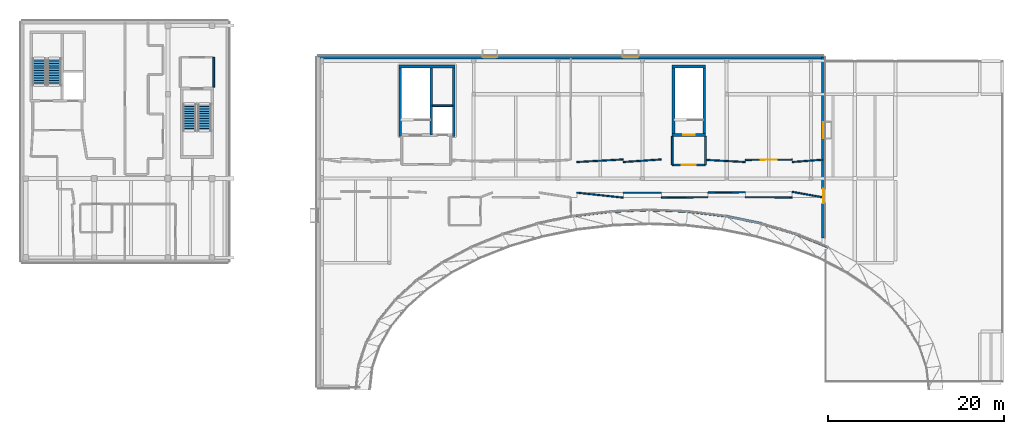
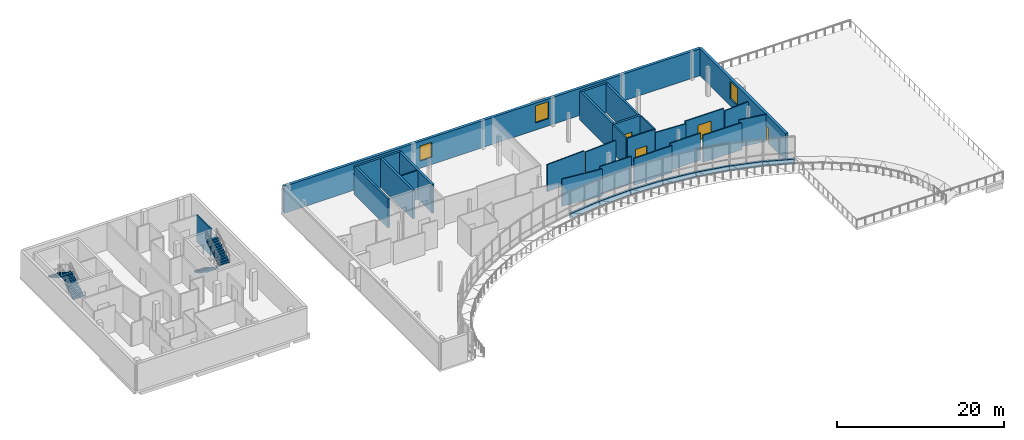
# One storey, part 13 of 18: 33 walls, 4 doors, 4 stair flights, 3 windows, 7 openings, 2 elements without a shape of their own.
"""IFC4 building model written with IfcOpenShell, lengths in metres."""

from ifc_helpers import new_model, si_unit, direction, frame, frame_2d, origin, place, context, subcontext, project, spatial, polyline, rectangle, outline, extrude, material, layer, layer_set, type_object, element, fill, aggregate, save


model = new_model("IFC4")

# Units and contexts
model_context = context("Model", 3, precision=1e-05, world=origin(), true_north=direction((0.0, 1.0)))
body_context = subcontext(model_context, "Body", "Model", "MODEL_VIEW")
ifc_project = project(units=[si_unit("LENGTHUNIT", "METRE"), si_unit("AREAUNIT", "SQUARE_METRE"), si_unit("VOLUMEUNIT", "CUBIC_METRE"), si_unit("PLANEANGLEUNIT", "RADIAN"), si_unit("MASSUNIT", "GRAM", prefix="KILO")], contexts=[model_context])

# Site, building, storey
site_placement = place(None, origin())
site = spatial("IfcSite", under=ifc_project, at=site_placement, CompositionType="ELEMENT")
building_placement = place(site_placement, origin())
building = spatial("IfcBuilding", under=site, at=building_placement, Name="Mzevani Central Library", CompositionType="ELEMENT")
storey_placement = place(building_placement, frame((0.0, 0.0, 18.300048828125)))
storey = spatial("IfcBuildingStorey", under=building, at=storey_placement, Name="L04", CompositionType="ELEMENT", Elevation=18.300048828125)

# Walls
ifc_material_1 = material(Name="Concrete C35/45", Category="concrete")
ifc_layer_1 = layer(ifc_material_1, 0.199951171875, Name="Compartment Wall 200")
ifc_layer_set_1 = layer_set([ifc_layer_1], Name="Concrete C35/45")
wall_type_1 = type_object("IfcWallType", Name="Compartment Wall 200", PredefinedType="STANDARD", material=ifc_layer_set_1)
wall_1_placement = place(storey_placement, frame((34.39990234375, 113.800048828125, 0.0), z_axis=(0.0, 0.0, 1.0), x_axis=(0.0, -1.0, 0.0)))
element("IfcWall", 1, at=wall_1_placement, inside=storey, type_object=wall_type_1, Name="L04 Stair Vestibule C2B Enclosure Wall 3", PredefinedType="STANDARD", context=body_context, shape_type="SweptSolid", body=[
    extrude(rectangle(XDim=3.400146484375, YDim=0.199951171875, at=frame_2d((1.7001953125, 0.0))), origin(), (0.0, 0.0, 1.0), 3.8798828125),
])
wall_2_placement = place(storey_placement, frame((86.60009765625, 104.800048828125, 0.0), z_axis=(0.0, 0.0, 1.0), x_axis=(0.0, -1.0, 0.0)))
element("IfcWall", 2, at=wall_2_placement, inside=storey, type_object=wall_type_1, Name="L04 Stair Vestibule C3B Enclosure Wall 1", PredefinedType="STANDARD", context=body_context, shape_type="SweptSolid", body=[
    extrude(rectangle(XDim=3.25, YDim=0.199951171875, at=frame_2d((1.625, 0.0))), origin(), (0.0, 0.0, 1.0), 4.199951171875),
])

# Wall, opening, door
wall_3_placement = place(storey_placement, frame((86.60009765625, 101.550048828125, 0.0), z_axis=(0.0, 0.0, 1.0), x_axis=(1.0, 0.0, 0.0)))
wall_3 = element("IfcWall", 3, at=wall_3_placement, inside=storey, type_object=wall_type_1, Name="L04 Stair Vestibule C3B Enclosure Wall 2", PredefinedType="STANDARD", context=body_context, shape_type="SweptSolid", body=[
    extrude(rectangle(XDim=3.7998046875, YDim=0.199951171875, at=frame_2d((1.89990234375, 0.0))), origin(), (0.0, 0.0, 1.0), 4.199951171875),
])
opening_1_placement = place(wall_3_placement, frame((1.10009765625, 0.0, 0.0)))
opening_1 = element("IfcOpeningElement", 4, at=opening_1_placement, cuts=wall_3, Name="Opening FD-02", PredefinedType="OPENING", context=body_context, shape_type="SweptSolid", body=[
    extrude(rectangle(XDim=1.60009765625, YDim=2.199951171875, at=frame_2d((0.800048828125, 1.10009765625))), frame((0.0, 0.10986328125, 0.0), z_axis=(0.0, -1.0, 0.0), x_axis=(1.0, 0.0, 0.0)), (0.0, 0.0, 1.0), 0.219970703125),
])
ifc_material_2 = material(Name="Fire-rated steel door assembly", Category="steel")
door_type_1 = type_object("IfcDoorType", Name="Fire Lobby Double Door 1600x2200", OperationType="NOTDEFINED", PredefinedType="DOOR", material=ifc_material_2)
door_1_placement = place(opening_1_placement, origin())
door_1 = element("IfcDoor", 5, at=door_1_placement, inside=storey, type_object=door_type_1, Name="L04 Stair Vestibule C3B Smoke-Control Door", OperationType="DOUBLE_DOOR_SINGLE_SWING", OverallHeight=2.199951171875, OverallWidth=1.60009765625, PredefinedType="DOOR", context=body_context, shape_type="SweptSolid", body=[
    extrude(rectangle(XDim=1.60009765625, YDim=2.199951171875, at=frame_2d((0.800048828125, 1.10009765625))), frame((0.0, 0.02490234375, 0.0), z_axis=(0.0, -1.0, 0.0), x_axis=(1.0, 0.0, 0.0)), (0.0, 0.0, 1.0), 0.050048828125),
])
fill(opening_1, door_1)

# Walls
wall_4_placement = place(storey_placement, frame((90.39990234375, 101.550048828125, 0.0), z_axis=(0.0, 0.0, 1.0), x_axis=(0.0, 1.0, 0.0)))
element("IfcWall", 6, at=wall_4_placement, inside=storey, type_object=wall_type_1, Name="L04 Stair Vestibule C3B Enclosure Wall 3", PredefinedType="STANDARD", context=body_context, shape_type="SweptSolid", body=[
    extrude(rectangle(XDim=3.25, YDim=0.199951171875, at=frame_2d((1.625, 0.0))), origin(), (0.0, 0.0, 1.0), 4.199951171875),
])
ifc_material_3 = material(Name="Concrete C40/50", Category="concrete")
ifc_layer_2 = layer(ifc_material_3, 0.300048828125, Name="Core Shear Wall 300")
ifc_layer_set_2 = layer_set([ifc_layer_2], Name="Concrete C40/50")
wall_type_2 = type_object("IfcWallType", Name="Core Shear Wall 300", PredefinedType="SHEAR", material=ifc_layer_set_2)
wall_5_placement = place(storey_placement, frame((55.64990234375, 104.800048828125, 0.0), z_axis=(0.0, 0.0, 1.0), x_axis=(0.0, 1.0, 0.0)))
element("IfcWall", 7, at=wall_5_placement, inside=storey, type_object=wall_type_2, Name="L04 Core C3A North-East Firefighting Core Shear Wall (-x)", PredefinedType="SHEAR", context=body_context, shape_type="SweptSolid", body=[
    extrude(rectangle(XDim=8.099853515625, YDim=0.300048828125, at=frame_2d((4.0498046875, 0.0))), origin(), (0.0, 0.0, 1.0), 4.199951171875),
])
wall_6_placement = place(storey_placement, frame((55.5, 112.75, 0.0), z_axis=(0.0, 0.0, 1.0), x_axis=(1.0, 0.0, 0.0)))
element("IfcWall", 8, at=wall_6_placement, inside=storey, type_object=wall_type_2, Name="L04 Core C3A North-East Firefighting Core Shear Wall (+y)", PredefinedType="SHEAR", context=body_context, shape_type="SweptSolid", body=[
    extrude(rectangle(XDim=6.39990234375, YDim=0.300048828125, at=frame_2d((3.199951171875, 0.0))), origin(), (0.0, 0.0, 1.0), 4.199951171875),
])
wall_7_placement = place(storey_placement, frame((61.75, 112.89990234375, 0.0), z_axis=(0.0, 0.0, 1.0), x_axis=(0.0, -1.0, 0.0)))
element("IfcWall", 9, at=wall_7_placement, inside=storey, type_object=wall_type_2, Name="L04 Core C3A North-East Firefighting Core Shear Wall (+x)", PredefinedType="SHEAR", context=body_context, shape_type="SweptSolid", body=[
    extrude(rectangle(XDim=8.099853515625, YDim=0.300048828125, at=frame_2d((4.0498046875, 0.0))), origin(), (0.0, 0.0, 1.0), 4.199951171875),
])
wall_8_placement = place(storey_placement, frame((59.14990234375, 104.949951171875, 0.0), z_axis=(0.0, 0.0, 1.0), x_axis=(0.0, 1.0, 0.0)))
element("IfcWall", 10, at=wall_8_placement, inside=storey, type_object=wall_type_2, Name="L04 Core C3A North-East Firefighting Core Hoistway Shear Wall", PredefinedType="SHEAR", context=body_context, shape_type="SweptSolid", body=[
    extrude(rectangle(XDim=7.800048828125, YDim=0.300048828125, at=frame_2d((3.89990234375, 0.0))), origin(), (0.0, 0.0, 1.0), 4.199951171875),
])

# Wall, opening, door
wall_9_placement = place(storey_placement, frame((90.39990234375, 104.949951171875, 0.0), z_axis=(0.0, 0.0, 1.0), x_axis=(-1.0, 0.0, 0.0)))
wall_9 = element("IfcWall", 11, at=wall_9_placement, inside=storey, type_object=wall_type_2, Name="L04 Core C3B Atrium East Escape Stair Shear Wall (-y)", PredefinedType="SHEAR", context=body_context, shape_type="SweptSolid", body=[
    extrude(rectangle(XDim=3.7998046875, YDim=0.300048828125, at=frame_2d((1.89990234375, 0.0))), origin(), (0.0, 0.0, 1.0), 4.199951171875),
])
opening_2_placement = place(wall_9_placement, frame((1.25, 0.0, 0.0)))
opening_2 = element("IfcOpeningElement", 12, at=opening_2_placement, cuts=wall_9, Name="Opening FD-01", PredefinedType="OPENING", context=body_context, shape_type="SweptSolid", body=[
    extrude(rectangle(XDim=1.300048828125, YDim=2.199951171875, at=frame_2d((0.64990234375, 1.10009765625))), frame((0.0, 0.16015625, 0.0), z_axis=(0.0, -1.0, 0.0), x_axis=(1.0, 0.0, 0.0)), (0.0, 0.0, 1.0), 0.320068359375),
])
door_type_2 = type_object("IfcDoorType", Name="Fire Stair Door 1300x2200", OperationType="NOTDEFINED", PredefinedType="DOOR", material=ifc_material_2)
door_2_placement = place(opening_2_placement, origin())
door_2 = element("IfcDoor", 13, at=door_2_placement, inside=storey, type_object=door_type_2, Name="L04 ST-06 Protected Exit Stair Door", OperationType="SINGLE_SWING_LEFT", OverallHeight=2.199951171875, OverallWidth=1.300048828125, PredefinedType="DOOR", context=body_context, shape_type="SweptSolid", body=[
    extrude(rectangle(XDim=1.300048828125, YDim=2.199951171875, at=frame_2d((0.64990234375, 1.10009765625))), frame((0.0, 0.02490234375, 0.0), z_axis=(0.0, -1.0, 0.0), x_axis=(1.0, 0.0, 0.0)), (0.0, 0.0, 1.0), 0.050048828125),
])
fill(opening_2, door_2)

# Walls
wall_10_placement = place(storey_placement, frame((86.75, 104.800048828125, 0.0), z_axis=(0.0, 0.0, 1.0), x_axis=(0.0, 1.0, 0.0)))
element("IfcWall", 14, at=wall_10_placement, inside=storey, type_object=wall_type_2, Name="L04 Core C3B Atrium East Escape Stair Shear Wall (-x)", PredefinedType="SHEAR", context=body_context, shape_type="SweptSolid", body=[
    extrude(rectangle(XDim=8.099853515625, YDim=0.300048828125, at=frame_2d((4.0498046875, 0.0))), origin(), (0.0, 0.0, 1.0), 4.199951171875),
])
wall_11_placement = place(storey_placement, frame((86.60009765625, 112.75, 0.0), z_axis=(0.0, 0.0, 1.0), x_axis=(1.0, 0.0, 0.0)))
element("IfcWall", 15, at=wall_11_placement, inside=storey, type_object=wall_type_2, Name="L04 Core C3B Atrium East Escape Stair Shear Wall (+y)", PredefinedType="SHEAR", context=body_context, shape_type="SweptSolid", body=[
    extrude(rectangle(XDim=3.7998046875, YDim=0.300048828125, at=frame_2d((1.89990234375, 0.0))), origin(), (0.0, 0.0, 1.0), 4.199951171875),
])
wall_12_placement = place(storey_placement, frame((90.25, 112.89990234375, 0.0), z_axis=(0.0, 0.0, 1.0), x_axis=(0.0, -1.0, 0.0)))
element("IfcWall", 16, at=wall_12_placement, inside=storey, type_object=wall_type_2, Name="L04 Core C3B Atrium East Escape Stair Shear Wall (+x)", PredefinedType="SHEAR", context=body_context, shape_type="SweptSolid", body=[
    extrude(rectangle(XDim=8.099853515625, YDim=0.300048828125, at=frame_2d((4.0498046875, 0.0))), origin(), (0.0, 0.0, 1.0), 4.199951171875),
])
ifc_material_4 = material(Name="Precast concrete C40/50", Category="concrete")
ifc_layer_3 = layer(ifc_material_4, 0.280029296875, Name="Court Spandrel Wall 280")
ifc_layer_set_3 = layer_set([ifc_layer_3], Name="Precast concrete C40/50")
wall_type_3 = type_object("IfcWallType", Name="Court Spandrel Wall 280", PredefinedType="STANDARD", material=ifc_layer_set_3)
wall_13_placement = place(storey_placement, frame((104.37353515625, 92.18359375, 0.0), z_axis=(0.0, 0.0, 1.0), x_axis=(-0.926279468924, 0.376837293071, 0.0)))
element("IfcWall", 17, at=wall_13_placement, inside=storey, type_object=wall_type_3, Name="L04 Elliptical Court Spandrel 8", PredefinedType="STANDARD", context=body_context, shape_type="SweptSolid", body=[
    extrude(rectangle(XDim=3.898193359375, YDim=0.280029296875, at=frame_2d((1.94921875, 0.0))), origin(), (0.0, 0.0, 1.0), 0.719970703125),
])
wall_14_placement = place(storey_placement, frame((100.738525390625, 93.67529296875, 0.0), z_axis=(0.0, 0.0, 1.0), x_axis=(-0.957763475746, 0.287557167408, 0.0)))
element("IfcWall", 18, at=wall_14_placement, inside=storey, type_object=wall_type_3, Name="L04 Elliptical Court Spandrel 9", PredefinedType="STANDARD", context=body_context, shape_type="SweptSolid", body=[
    extrude(rectangle(XDim=4.06689453125, YDim=0.280029296875, at=frame_2d((2.033447265625, 0.0))), origin(), (0.0, 0.0, 1.0), 0.719970703125),
])
wall_15_placement = place(storey_placement, frame((96.812255859375, 94.865966796875, 0.0), z_axis=(0.0, 0.0, 1.0), x_axis=(-0.979306137349, 0.202384508674, 0.0)))
element("IfcWall", 19, at=wall_15_placement, inside=storey, type_object=wall_type_3, Name="L04 Elliptical Court Spandrel 10", PredefinedType="STANDARD", context=body_context, shape_type="SweptSolid", body=[
    extrude(rectangle(XDim=4.19921875, YDim=0.280029296875, at=frame_2d((2.099609375, 0.0))), origin(), (0.0, 0.0, 1.0), 0.719970703125),
])
wall_16_placement = place(storey_placement, frame((92.6611328125, 95.732666015625, 0.0), z_axis=(0.0, 0.0, 1.0), x_axis=(-0.992745106913, 0.12023790043, 0.0)))
element("IfcWall", 20, at=wall_16_placement, inside=storey, type_object=wall_type_3, Name="L04 Elliptical Court Spandrel 11", PredefinedType="STANDARD", context=body_context, shape_type="SweptSolid", body=[
    extrude(rectangle(XDim=4.290283203125, YDim=0.280029296875, at=frame_2d((2.14501953125, 0.0))), origin(), (0.0, 0.0, 1.0), 0.719970703125),
])
for number, where, z_axis, x_axis, name in (
    (21, (88.35693359375, 96.258056640625, 0.0), (0.0, 0.0, 1.0), (-0.999205448666, 0.039855631417, 0.0), "L04 Elliptical Court Spandrel 12"),
    (22, (83.9765625, 96.430908203125, 0.0), (0.0, 0.0, 1.0), (-0.999205448666, -0.039855631417, 0.0), "L04 Elliptical Court Spandrel 13"),
):
    element("IfcWall", number, at=place(storey_placement, frame(where, z_axis=z_axis, x_axis=x_axis)), inside=storey, type_object=wall_type_3, Name=name, PredefinedType="STANDARD", context=body_context, shape_type="SweptSolid", body=[
        extrude(rectangle(XDim=4.3369140625, YDim=0.280029296875, at=frame_2d((2.16845703125, 0.0))), origin(), (0.0, 0.0, 1.0), 0.719970703125),
    ])
wall_17_placement = place(storey_placement, frame((79.59814453125, 96.24853515625, 0.0), z_axis=(0.0, 0.0, 1.0), x_axis=(-0.992745106913, -0.12023790043, 0.0)))
element("IfcWall", 23, at=wall_17_placement, inside=storey, type_object=wall_type_3, Name="L04 Elliptical Court Spandrel 14", PredefinedType="STANDARD", context=body_context, shape_type="SweptSolid", body=[
    extrude(rectangle(XDim=4.290283203125, YDim=0.280029296875, at=frame_2d((2.14501953125, 0.0))), origin(), (0.0, 0.0, 1.0), 0.719970703125),
])

# Wall, openings, windows
ifc_layer_4 = layer(ifc_material_4, 0.3798828125, Name="Exterior Thermal Concrete Wall 380")
ifc_layer_set_4 = layer_set([ifc_layer_4], Name="Precast concrete C40/50")
wall_type_4 = type_object("IfcWallType", Name="Exterior Thermal Concrete Wall 380", PredefinedType="STANDARD", material=ifc_layer_set_4)
wall_18_placement = place(storey_placement, frame((46.2900390625, 113.81005859375, 0.0), z_axis=(0.0, 0.0, 1.0), x_axis=(1.0, 0.0, 0.0)))
wall_18 = element("IfcWall", 24, at=wall_18_placement, inside=storey, type_object=wall_type_4, Name="L04 V3 Exterior Thermal Wall (69)", PredefinedType="STANDARD", context=body_context, shape_type="SweptSolid", body=[
    extrude(rectangle(XDim=57.52001953125, YDim=0.3798828125, at=frame_2d((28.760009765625, 0.0))), origin(), (0.0, 0.0, 1.0), 3.93994140625),
])
opening_3_placement = place(wall_18_placement, frame((18.731689453125, 0.0, 1.050048828125)))
opening_3 = element("IfcOpeningElement", 25, at=opening_3_placement, cuts=wall_18, Name="Opening W-13", PredefinedType="OPENING", context=body_context, shape_type="SweptSolid", body=[
    extrude(rectangle(XDim=1.64990234375, YDim=2.199951171875, at=frame_2d((0.824951171875, 1.10009765625))), frame((0.0, 0.199951171875, 0.0), z_axis=(0.0, -1.0, 0.0), x_axis=(1.0, 0.0, 0.0)), (0.0, 0.0, 1.0), 0.39990234375),
])
opening_4_placement = place(wall_18_placement, frame((34.6630859375, 0.0, 1.050048828125)))
opening_4 = element("IfcOpeningElement", 26, at=opening_4_placement, cuts=wall_18, Name="Opening W-15", PredefinedType="OPENING", context=body_context, shape_type="SweptSolid", body=[
    extrude(rectangle(XDim=1.800048828125, YDim=2.5, at=frame_2d((0.89990234375, 1.25))), frame((0.0, 0.199951171875, 0.0), z_axis=(0.0, -1.0, 0.0), x_axis=(1.0, 0.0, 0.0)), (0.0, 0.0, 1.0), 0.39990234375),
])
ifc_material_5 = material(Name="Low-E triple glazing glass", Category="glass")
window_type_1 = type_object("IfcWindowType", Name="Deep Reveal Window 1650x2200", PartitioningType="SINGLE_PANEL", PredefinedType="WINDOW", material=ifc_material_5)
window_1_placement = place(opening_3_placement, origin())
window_1 = element("IfcWindow", 27, at=window_1_placement, inside=storey, type_object=window_type_1, Name="L04 V3 Deep-Reveal Window W-13 (132)", OverallHeight=2.199951171875, OverallWidth=1.64990234375, PartitioningType="SINGLE_PANEL", PredefinedType="WINDOW", context=body_context, shape_type="SweptSolid", body=[
    extrude(rectangle(XDim=1.64990234375, YDim=2.199951171875, at=frame_2d((0.824951171875, 1.10009765625))), frame((0.0, 0.030029296875, 0.0), z_axis=(0.0, -1.0, 0.0), x_axis=(1.0, 0.0, 0.0)), (0.0, 0.0, 1.0), 0.06005859375),
])
fill(opening_3, window_1)
window_type_2 = type_object("IfcWindowType", Name="Deep Reveal Window 1800x2500", PartitioningType="SINGLE_PANEL", PredefinedType="WINDOW", material=ifc_material_5)
window_2_placement = place(opening_4_placement, origin())
window_2 = element("IfcWindow", 28, at=window_2_placement, inside=storey, type_object=window_type_2, Name="L04 V3 Deep-Reveal Window W-15 (133)", OverallHeight=2.5, OverallWidth=1.800048828125, PartitioningType="SINGLE_PANEL", PredefinedType="WINDOW", context=body_context, shape_type="SweptSolid", body=[
    extrude(rectangle(XDim=1.800048828125, YDim=2.5, at=frame_2d((0.89990234375, 1.25))), frame((0.0, 0.030029296875, 0.0), z_axis=(0.0, -1.0, 0.0), x_axis=(1.0, 0.0, 0.0)), (0.0, 0.0, 1.0), 0.06005859375),
])
fill(opening_4, window_2)

# Wall, openings, window, door
wall_19_placement = place(storey_placement, frame((103.81005859375, 113.81005859375, 0.0), z_axis=(0.0, 0.0, 1.0), x_axis=(0.0, -1.0, 0.0)))
wall_19 = element("IfcWall", 29, at=wall_19_placement, inside=storey, type_object=wall_type_4, Name="L04 V3 Exterior Thermal Wall (70)", PredefinedType="STANDARD", context=body_context, shape_type="SweptSolid", body=[
    extrude(rectangle(XDim=20.5859375, YDim=0.3798828125, at=frame_2d((10.29296875, 0.0))), origin(), (0.0, 0.0, 1.0), 3.93994140625),
])
opening_5_placement = place(wall_19_placement, frame((14.985107421875, 0.0, 0.0)))
opening_5 = element("IfcOpeningElement", 30, at=opening_5_placement, cuts=wall_19, Name="Opening ED-02", PredefinedType="OPENING", context=body_context, shape_type="SweptSolid", body=[
    extrude(rectangle(XDim=1.64990234375, YDim=2.300048828125, at=frame_2d((0.824951171875, 1.14990234375))), frame((0.0, 0.199951171875, 0.0), z_axis=(0.0, -1.0, 0.0), x_axis=(1.0, 0.0, 0.0)), (0.0, 0.0, 1.0), 0.39990234375),
])
opening_6_placement = place(wall_19_placement, frame((7.404541015625, 0.0, 1.050048828125)))
opening_6 = element("IfcOpeningElement", 31, at=opening_6_placement, cuts=wall_19, Name="Opening W-15", PredefinedType="OPENING", context=body_context, shape_type="SweptSolid", body=[
    extrude(rectangle(XDim=1.800048828125, YDim=2.5, at=frame_2d((0.89990234375, 1.25))), frame((0.0, 0.199951171875, 0.0), z_axis=(0.0, -1.0, 0.0), x_axis=(1.0, 0.0, 0.0)), (0.0, 0.0, 1.0), 0.39990234375),
])
window_3_placement = place(opening_6_placement, origin())
window_3 = element("IfcWindow", 32, at=window_3_placement, inside=storey, type_object=window_type_2, Name="L04 V3 Deep-Reveal Window W-15 (134)", OverallHeight=2.5, OverallWidth=1.800048828125, PartitioningType="SINGLE_PANEL", PredefinedType="WINDOW", context=body_context, shape_type="SweptSolid", body=[
    extrude(rectangle(XDim=1.800048828125, YDim=2.5, at=frame_2d((0.89990234375, 1.25))), frame((0.0, 0.030029296875, 0.0), z_axis=(0.0, -1.0, 0.0), x_axis=(1.0, 0.0, 0.0)), (0.0, 0.0, 1.0), 0.06005859375),
])
fill(opening_6, window_3)
ifc_material_6 = material(Name="Anodized architectural bronze")
door_type_3 = type_object("IfcDoorType", Name="Roof Garden Terrace Door 1650x2300", OperationType="NOTDEFINED", PredefinedType="DOOR", material=ifc_material_6)
door_3_placement = place(opening_5_placement, origin())
door_3 = element("IfcDoor", 33, at=door_3_placement, inside=storey, type_object=door_type_3, Name="L04 Atrium Terrace Planted Roof Garden Terrace Access Door", OperationType="SINGLE_SWING_LEFT", OverallHeight=2.300048828125, OverallWidth=1.64990234375, PredefinedType="DOOR", context=body_context, shape_type="SweptSolid", body=[
    extrude(rectangle(XDim=1.64990234375, YDim=2.300048828125, at=frame_2d((0.824951171875, 1.14990234375))), frame((0.0, 0.02490234375, 0.0), z_axis=(0.0, -1.0, 0.0), x_axis=(1.0, 0.0, 0.0)), (0.0, 0.0, 1.0), 0.050048828125),
])
fill(opening_5, door_3)

# Wall, opening, door
ifc_material_7 = material(Name="Fire-rated gypsum board", Category="gypsum")
ifc_layer_5 = layer(ifc_material_7, 0.14990234375, Name="Partition Study 150")
ifc_layer_set_5 = layer_set([ifc_layer_5], Name="Fire-rated gypsum board")
wall_type_5 = type_object("IfcWallType", Name="Partition Study 150", PredefinedType="PARTITIONING", material=ifc_layer_set_5)
wall_20_placement = place(storey_placement, frame((100.25, 102.14990234375, 0.0), z_axis=(0.0, 0.0, 1.0), x_axis=(-0.999989065169, -0.004676488224, 0.0)))
wall_20 = element("IfcWall", 34, at=wall_20_placement, inside=storey, type_object=wall_type_5, Name="L04 V3 Partition IW-03 (593)", PredefinedType="PARTITIONING", context=body_context, shape_type="SweptSolid", body=[
    extrude(rectangle(XDim=5.324951171875, YDim=0.14990234375, at=frame_2d((2.66259765625, 0.0))), origin(), (0.0, 0.0, 1.0), 3.419921875),
])
opening_7_placement = place(wall_20_placement, frame((1.762451171875, 0.0, 0.0)))
opening_7 = element("IfcOpeningElement", 35, at=opening_7_placement, cuts=wall_20, Name="Opening FD-06", PredefinedType="OPENING", context=body_context, shape_type="SweptSolid", body=[
    extrude(rectangle(XDim=1.800048828125, YDim=2.199951171875, at=frame_2d((0.89990234375, 1.10009765625))), frame((0.0, 0.0849609375, 0.0), z_axis=(0.0, -1.0, 0.0), x_axis=(1.0, 0.0, 0.0)), (0.0, 0.0, 1.0), 0.169921875),
])
door_type_4 = type_object("IfcDoorType", Name="Fire Corridor Double Door 1800x2200", OperationType="NOTDEFINED", PredefinedType="DOOR", material=ifc_material_2)
door_4_placement = place(opening_7_placement, origin())
door_4 = element("IfcDoor", 36, at=door_4_placement, inside=storey, type_object=door_type_4, Name="L04 Caucasus Special Collections Gallery Door", OperationType="DOUBLE_DOOR_SINGLE_SWING", OverallHeight=2.199951171875, OverallWidth=1.800048828125, PredefinedType="DOOR", context=body_context, shape_type="SweptSolid", body=[
    extrude(rectangle(XDim=1.800048828125, YDim=2.199951171875, at=frame_2d((0.89990234375, 1.10009765625))), frame((0.0, 0.02490234375, 0.0), z_axis=(0.0, -1.0, 0.0), x_axis=(1.0, 0.0, 0.0)), (0.0, 0.0, 1.0), 0.050048828125),
])
fill(opening_7, door_4)

# Walls
wall_21_placement = place(storey_placement, frame((94.925048828125, 101.8798828125, 0.0), z_axis=(0.0, 0.0, 1.0), x_axis=(-0.998535524491, 0.054099966072, 0.0)))
element("IfcWall", 37, at=wall_21_placement, inside=storey, type_object=wall_type_5, Name="L04 V3 Partition IW-03 (594)", PredefinedType="PARTITIONING", context=body_context, shape_type="SweptSolid", body=[
    extrude(rectangle(XDim=4.431640625, YDim=0.14990234375, at=frame_2d((2.2158203125, 0.0))), origin(), (0.0, 0.0, 1.0), 3.219970703125),
])
wall_22_placement = place(storey_placement, frame((85.375, 102.175048828125, 0.0), z_axis=(0.0, 0.0, 1.0), x_axis=(-0.997705921708, -0.067697073709, 0.0)))
element("IfcWall", 38, at=wall_22_placement, inside=storey, type_object=wall_type_5, Name="L04 V3 Partition IW-03 (595)", PredefinedType="PARTITIONING", context=body_context, shape_type="SweptSolid", body=[
    extrude(rectangle(XDim=4.360107421875, YDim=0.14990234375, at=frame_2d((2.18017578125, 0.0))), origin(), (0.0, 0.0, 1.0), 3.93994140625),
])
wall_23_placement = place(storey_placement, frame((81.02490234375, 102.175048828125, 0.0), z_axis=(0.0, 0.0, 1.0), x_axis=(-0.998438092025, -0.055869279518, 0.0)))
element("IfcWall", 39, at=wall_23_placement, inside=storey, type_object=wall_type_5, Name="L04 V3 Partition IW-03 (596)", PredefinedType="PARTITIONING", context=body_context, shape_type="SweptSolid", body=[
    extrude(rectangle(XDim=5.283203125, YDim=0.14990234375, at=frame_2d((2.6416015625, 0.0))), origin(), (0.0, 0.0, 1.0), 3.93994140625),
])
wall_24_placement = place(storey_placement, frame((103.710205078125, 102.142333984375, 0.0), z_axis=(0.0, 0.0, 1.0), x_axis=(-0.997135858871, -0.075631203576, 0.0)))
element("IfcWall", 40, at=wall_24_placement, inside=storey, type_object=wall_type_5, Name="L04 V3 Partition IW-03 (597)", PredefinedType="PARTITIONING", context=body_context, shape_type="SweptSolid", body=[
    extrude(rectangle(XDim=3.47021484375, YDim=0.14990234375, at=frame_2d((1.735107421875, 0.0))), origin(), (0.0, 0.0, 1.0), 3.219970703125),
])
wall_25_placement = place(storey_placement, frame((75.75, 98.391357421875, 0.0), z_axis=(0.0, 0.0, 1.0), x_axis=(0.994284405771, -0.106763853623, 0.0)))
element("IfcWall", 41, at=wall_25_placement, inside=storey, type_object=wall_type_5, Name="L04 V3 Partition IW-03 (606)", PredefinedType="PARTITIONING", context=body_context, shape_type="SweptSolid", body=[
    extrude(rectangle(XDim=5.30517578125, YDim=0.14990234375, at=frame_2d((2.652587890625, 0.0))), origin(), (0.0, 0.0, 1.0), 3.93994140625),
])
wall_26_placement = place(storey_placement, frame((81.02490234375, 98.382568359375, 0.0), z_axis=(0.0, 0.0, 1.0), x_axis=(0.999998582596, -0.001683688263, 0.0)))
element("IfcWall", 42, at=wall_26_placement, inside=storey, type_object=wall_type_5, Name="L04 V3 Partition IW-03 (607)", PredefinedType="PARTITIONING", context=body_context, shape_type="SweptSolid", body=[
    extrude(rectangle(XDim=4.35009765625, YDim=0.14990234375, at=frame_2d((2.175048828125, 0.0))), origin(), (0.0, 0.0, 1.0), 3.93994140625),
])
wall_27_placement = place(storey_placement, frame((85.375, 97.824951171875, 0.0), z_axis=(0.0, 0.0, 1.0), x_axis=(0.999955417025, 0.009442667119, 0.0)))
element("IfcWall", 43, at=wall_27_placement, inside=storey, type_object=wall_type_5, Name="L04 V3 Partition IW-03 (608)", PredefinedType="PARTITIONING", context=body_context, shape_type="SweptSolid", body=[
    extrude(rectangle(XDim=5.30029296875, YDim=0.14990234375, at=frame_2d((2.650146484375, 0.0))), origin(), (0.0, 0.0, 1.0), 3.93994140625),
])
wall_28_placement = place(storey_placement, frame((90.67333984375, 98.39208984375, 0.0), z_axis=(0.0, 0.0, 1.0), x_axis=(0.99994718045, 0.010277952644, 0.0)))
element("IfcWall", 44, at=wall_28_placement, inside=storey, type_object=wall_type_5, Name="L04 V3 Partition IW-03 (609)", PredefinedType="PARTITIONING", context=body_context, shape_type="SweptSolid", body=[
    extrude(rectangle(XDim=4.251953125, YDim=0.14990234375, at=frame_2d((2.1259765625, 0.0))), origin(), (0.0, 0.0, 1.0), 3.93994140625),
])
wall_29_placement = place(storey_placement, frame((94.925048828125, 97.875, 0.0), z_axis=(0.0, 0.0, 1.0), x_axis=(0.999989065169, -0.004676488224, 0.0)))
element("IfcWall", 45, at=wall_29_placement, inside=storey, type_object=wall_type_5, Name="L04 V3 Partition IW-03 (610)", PredefinedType="PARTITIONING", context=body_context, shape_type="SweptSolid", body=[
    extrude(rectangle(XDim=5.324951171875, YDim=0.14990234375, at=frame_2d((2.66259765625, 0.0))), origin(), (0.0, 0.0, 1.0), 3.93994140625),
])
wall_30_placement = place(storey_placement, frame((100.243408203125, 98.490478515625, 0.0), z_axis=(0.0, 0.0, 1.0), x_axis=(0.9842566848, -0.176744953043, 0.0)))
element("IfcWall", 46, at=wall_30_placement, inside=storey, type_object=wall_type_5, Name="L04 V3 Partition IW-03 (611)", PredefinedType="PARTITIONING", context=body_context, shape_type="SweptSolid", body=[
    extrude(rectangle(XDim=3.523681640625, YDim=0.14990234375, at=frame_2d((1.76171875, 0.0))), origin(), (0.0, 0.0, 1.0), 3.93994140625),
])
ifc_material_8 = material(Name="Concrete blockwork masonry", Category="masonry")
ifc_layer_6 = layer(ifc_material_8, 0.179931640625, Name="Shaft Enclosure Wall 180")
ifc_layer_set_6 = layer_set([ifc_layer_6], Name="Concrete blockwork masonry")
wall_type_6 = type_object("IfcWallType", Name="Shaft Enclosure Wall 180", PredefinedType="PARTITIONING", material=ifc_layer_set_6)
wall_31_placement = place(storey_placement, frame((59.300048828125, 108.2900390625, 0.0), z_axis=(0.0, 0.0, 1.0), x_axis=(1.0, 0.0, 0.0)))
element("IfcWall", 47, at=wall_31_placement, inside=storey, type_object=wall_type_6, Name="L04 Lift LF-FF2 Hoistway Enclosure Wall", PredefinedType="PARTITIONING", context=body_context, shape_type="SweptSolid", body=[
    extrude(rectangle(XDim=2.300048828125, YDim=0.179931640625, at=frame_2d((1.14990234375, 0.0))), origin(), (0.0, 0.0, 1.0), 4.199951171875),
])

# Stair, stair flights
stair_type = type_object("IfcStairType", Name="Dogleg Exit Stair 175x280", PredefinedType="HALF_TURN_STAIR", material=ifc_material_1)
stair_1_placement = place(storey_placement, origin())
stair_1 = element("IfcStair", 48, at=stair_1_placement, inside=storey, type_object=stair_type, Name="L04 Core C2A North-West Firefighting Core Exit Stair ST-02", PredefinedType="HALF_TURN_STAIR")
stair_flight_type = type_object("IfcStairFlightType", Name="Reinforced Concrete Stair Flight 175x280", PredefinedType="STRAIGHT", material=ifc_material_1)
stair_flight_1_placement = place(storey_placement, frame((16.25, 110.60009765625, 0.0), z_axis=(0.0, 0.0, 1.0), x_axis=(0.0, 1.0, 0.0)))
stair_flight_1 = element("IfcStairFlight", 49, at=stair_flight_1_placement, type_object=stair_flight_type, Name="ST-03 flight 1", NumberOfRisers=12, NumberOfTreads=11, PredefinedType="STRAIGHT", RiserHeight=0.175, TreadLength=0.28, context=body_context, shape_type="SweptSolid", body=[
    extrude(outline(polyline([(0.0, 0.0), (0.0, 0.175048828125), (0.280029296875, 0.175048828125), (0.280029296875, 0.35009765625), (0.56005859375, 0.35009765625), (0.56005859375, 0.52490234375), (0.840087890625, 0.52490234375), (0.840087890625, 0.699951171875), (1.1201171875, 0.699951171875), (1.1201171875, 0.875), (1.39990234375, 0.875), (1.39990234375, 1.050048828125), (1.679931640625, 1.050048828125), (1.679931640625, 1.22509765625), (1.9599609375, 1.22509765625), (1.9599609375, 1.39990234375), (2.239990234375, 1.39990234375), (2.239990234375, 1.574951171875), (2.52001953125, 1.574951171875), (2.52001953125, 1.75), (2.800048828125, 1.75), (2.800048828125, 1.925048828125), (3.080078125, 1.925048828125), (3.080078125, 2.10009765625), (3.080078125, 1.736328125), (0.3017578125, 0.0), (0.0, 0.0)])), frame((0.0, 0.75, 0.0), z_axis=(0.0, -1.0, 0.0), x_axis=(1.0, 0.0, 0.0)), (0.0, 0.0, 1.0), 1.5),
])
stair_flight_2_placement = place(storey_placement, frame((14.550048828125, 113.679931640625, 2.099853515625), z_axis=(0.0, 0.0, 1.0), x_axis=(0.0, -1.0, 0.0)))
stair_flight_2 = element("IfcStairFlight", 50, at=stair_flight_2_placement, type_object=stair_flight_type, Name="ST-03 flight 2", NumberOfRisers=12, NumberOfTreads=11, PredefinedType="STRAIGHT", RiserHeight=0.175, TreadLength=0.28, context=body_context, shape_type="SweptSolid", body=[
    extrude(outline(polyline([(0.0, 0.0), (0.0, 0.175048828125), (0.280029296875, 0.175048828125), (0.280029296875, 0.35009765625), (0.56005859375, 0.35009765625), (0.56005859375, 0.52490234375), (0.840087890625, 0.52490234375), (0.840087890625, 0.699951171875), (1.1201171875, 0.699951171875), (1.1201171875, 0.875), (1.39990234375, 0.875), (1.39990234375, 1.050048828125), (1.679931640625, 1.050048828125), (1.679931640625, 1.22509765625), (1.9599609375, 1.22509765625), (1.9599609375, 1.39990234375), (2.239990234375, 1.39990234375), (2.239990234375, 1.574951171875), (2.52001953125, 1.574951171875), (2.52001953125, 1.75), (2.800048828125, 1.75), (2.800048828125, 1.925048828125), (3.080078125, 1.925048828125), (3.080078125, 2.10009765625), (3.080078125, 1.736328125), (0.3017578125, 0.0), (0.0, 0.0)])), frame((0.0, 0.75, 0.0), z_axis=(0.0, -1.0, 0.0), x_axis=(1.0, 0.0, 0.0)), (0.0, 0.0, 1.0), 1.5),
])
aggregate(stair_1, [stair_flight_1, stair_flight_2])

stair_2_placement = place(storey_placement, origin())
stair_2 = element("IfcStair", 51, at=stair_2_placement, inside=storey, type_object=stair_type, Name="L04 Core C2B Stacks East Escape Stair Exit Stair ST-02", PredefinedType="HALF_TURN_STAIR")
stair_flight_3_placement = place(storey_placement, frame((31.64990234375, 108.5, 0.0), z_axis=(0.0, 0.0, 1.0), x_axis=(0.0, -1.0, 0.0)))
stair_flight_3 = element("IfcStairFlight", 52, at=stair_flight_3_placement, type_object=stair_flight_type, Name="ST-04 flight 1", NumberOfRisers=12, NumberOfTreads=11, PredefinedType="STRAIGHT", RiserHeight=0.175, TreadLength=0.28, context=body_context, shape_type="SweptSolid", body=[
    extrude(outline(polyline([(0.0, 0.0), (0.0, 0.175048828125), (0.280029296875, 0.175048828125), (0.280029296875, 0.35009765625), (0.56005859375, 0.35009765625), (0.56005859375, 0.52490234375), (0.840087890625, 0.52490234375), (0.840087890625, 0.699951171875), (1.1201171875, 0.699951171875), (1.1201171875, 0.875), (1.39990234375, 0.875), (1.39990234375, 1.050048828125), (1.679931640625, 1.050048828125), (1.679931640625, 1.22509765625), (1.9599609375, 1.22509765625), (1.9599609375, 1.39990234375), (2.239990234375, 1.39990234375), (2.239990234375, 1.574951171875), (2.52001953125, 1.574951171875), (2.52001953125, 1.75), (2.800048828125, 1.75), (2.800048828125, 1.925048828125), (3.080078125, 1.925048828125), (3.080078125, 2.10009765625), (3.080078125, 1.736328125), (0.3017578125, 0.0), (0.0, 0.0)])), frame((0.0, 0.75, 0.0), z_axis=(0.0, -1.0, 0.0), x_axis=(1.0, 0.0, 0.0)), (0.0, 0.0, 1.0), 1.5),
])
stair_flight_4_placement = place(storey_placement, frame((33.35009765625, 105.419921875, 2.099853515625), z_axis=(0.0, 0.0, 1.0), x_axis=(0.0, 1.0, 0.0)))
stair_flight_4 = element("IfcStairFlight", 53, at=stair_flight_4_placement, type_object=stair_flight_type, Name="ST-04 flight 2", NumberOfRisers=12, NumberOfTreads=11, PredefinedType="STRAIGHT", RiserHeight=0.175, TreadLength=0.28, context=body_context, shape_type="SweptSolid", body=[
    extrude(outline(polyline([(0.0, 0.0), (0.0, 0.175048828125), (0.280029296875, 0.175048828125), (0.280029296875, 0.35009765625), (0.56005859375, 0.35009765625), (0.56005859375, 0.52490234375), (0.840087890625, 0.52490234375), (0.840087890625, 0.699951171875), (1.1201171875, 0.699951171875), (1.1201171875, 0.875), (1.39990234375, 0.875), (1.39990234375, 1.050048828125), (1.679931640625, 1.050048828125), (1.679931640625, 1.22509765625), (1.9599609375, 1.22509765625), (1.9599609375, 1.39990234375), (2.239990234375, 1.39990234375), (2.239990234375, 1.574951171875), (2.52001953125, 1.574951171875), (2.52001953125, 1.75), (2.800048828125, 1.75), (2.800048828125, 1.925048828125), (3.080078125, 1.925048828125), (3.080078125, 2.10009765625), (3.080078125, 1.736328125), (0.3017578125, 0.0), (0.0, 0.0)])), frame((0.0, 0.75, 0.0), z_axis=(0.0, -1.0, 0.0), x_axis=(1.0, 0.0, 0.0)), (0.0, 0.0, 1.0), 1.5),
])
aggregate(stair_2, [stair_flight_3, stair_flight_4])

save(model, "model.ifc")
